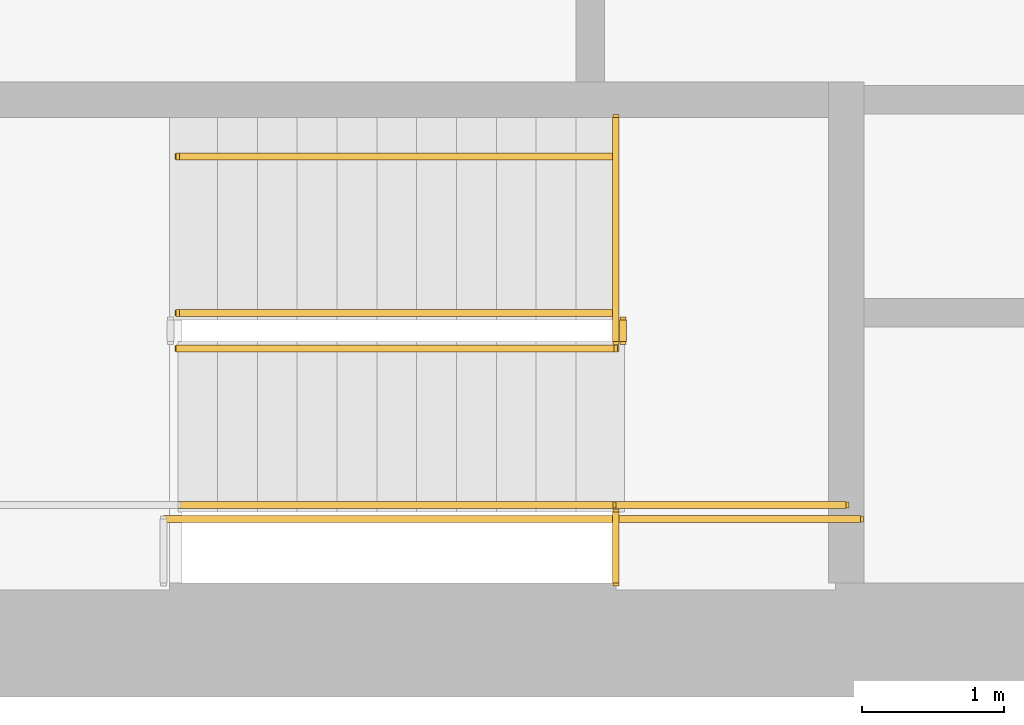
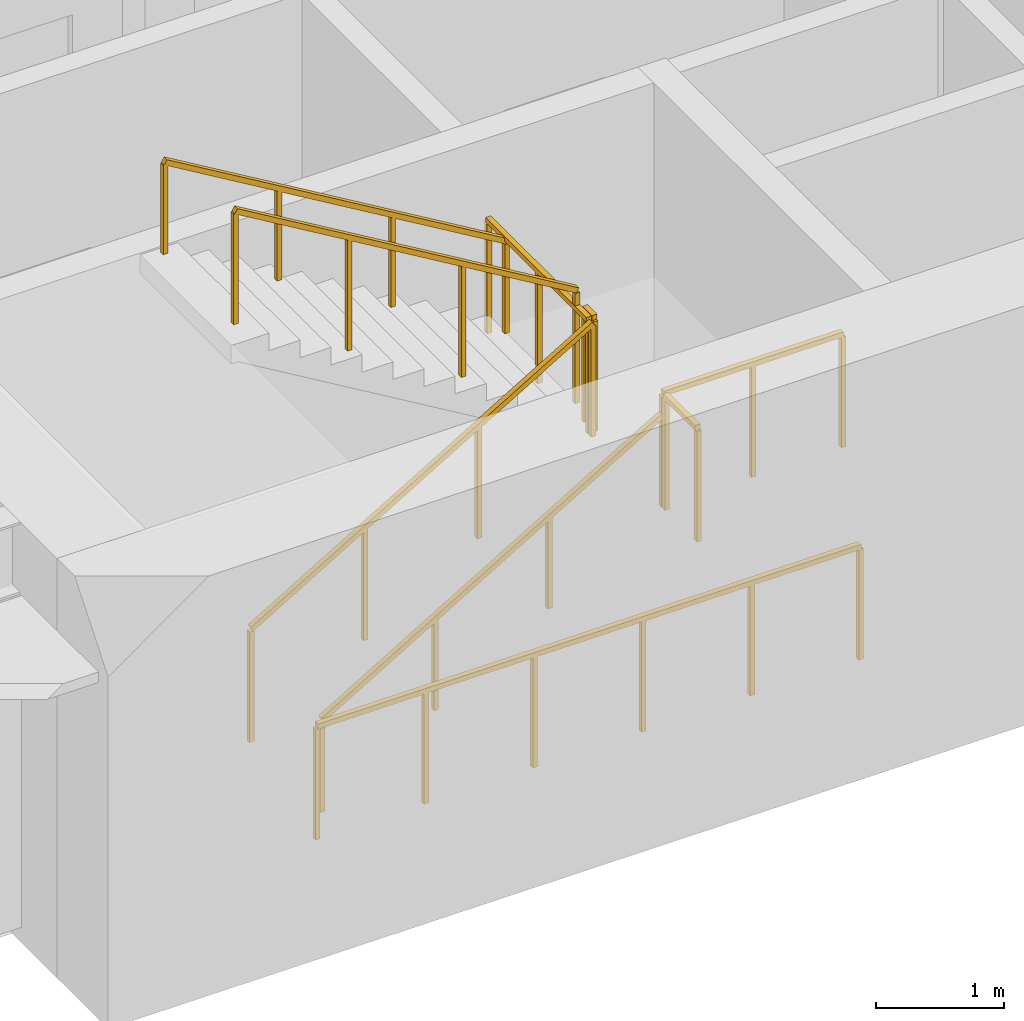
# One storey, part 10 of 12: 9 railings.
"""IFC4 building model written with IfcOpenShell, lengths in metres."""

from ifc_helpers import new_model, si_unit, direction, frame, origin, origin_2d, place, context, subcontext, project, spatial, rectangle, extrude, material, type_object, element, save


model = new_model("IFC4")

# Units and contexts
model_context = context("Model", 3, precision=1e-05, world=origin(), true_north=direction((0.0, 1.0)))
body_context = subcontext(model_context, "Body", "Model", "MODEL_VIEW")
ifc_project = project(units=[si_unit("LENGTHUNIT", "METRE"), si_unit("AREAUNIT", "SQUARE_METRE"), si_unit("VOLUMEUNIT", "CUBIC_METRE"), si_unit("PLANEANGLEUNIT", "RADIAN"), si_unit("MASSUNIT", "GRAM", prefix="KILO")], contexts=[model_context])

# Site, building, storey
site_placement = place(None, origin())
site = spatial("IfcSite", under=ifc_project, at=site_placement, CompositionType="ELEMENT")
building_placement = place(site_placement, origin())
building = spatial("IfcBuilding", under=site, at=building_placement, Name="Sennacour Bend Tower", CompositionType="ELEMENT")
storey_placement = place(building_placement, frame((0.0, 0.0, 249.0)))
storey = spatial("IfcBuildingStorey", under=building, at=storey_placement, Name="L57", CompositionType="ELEMENT", Elevation=249.0)

# Railings
ifc_material = material(Name="Stainless steel", Category="steel")
railing_type_1 = type_object("IfcRailingType", Name="RL-GUARD-1100", PredefinedType="GUARDRAIL", material=ifc_material)
railing_1_placement = place(storey_placement, frame((56.699951171875, 2.449951171875, 0.166748046875)))
element("IfcRailing", 1, at=railing_1_placement, inside=storey, type_object=railing_type_1, Name="L57 SA1 stair guard 1", PredefinedType="GUARDRAIL", context=body_context, shape_type="SweptSolid", body=[
    extrude(rectangle(XDim=0.048095703125, YDim=0.048095703125, at=origin_2d()), frame((0.0, 0.0, 1.076171875), z_axis=(0.859308565015, 0.0, 0.511457515432), x_axis=(0.0, 1.0, 0.0)), (0.0, 0.0, 1.0), 3.58447265625),
    extrude(rectangle(XDim=0.0419921875, YDim=0.0419921875, at=origin_2d()), origin(), (0.0, 0.0, 1.0), 1.052001953125),
    extrude(rectangle(XDim=0.0419921875, YDim=0.0419921875, at=origin_2d()), frame((1.026611328125, 0.0, 0.611083984375)), (0.0, 0.0, 1.0), 1.052001953125),
    extrude(rectangle(XDim=0.0419921875, YDim=0.0419921875, at=origin_2d()), frame((2.053466796875, 0.0, 1.22216796875)), (0.0, 0.0, 1.0), 1.052001953125),
    extrude(rectangle(XDim=0.0419921875, YDim=0.0419921875, at=origin_2d()), frame((3.080078125, 0.0, 1.833251953125)), (0.0, 0.0, 1.0), 1.052001953125),
])
railing_2_placement = place(storey_placement, frame((59.830078125, 2.5, 2.0)))
element("IfcRailing", 2, at=railing_2_placement, inside=storey, type_object=railing_type_1, Name="L57 SA1 stair guard 2", PredefinedType="GUARDRAIL", context=body_context, shape_type="SweptSolid", body=[
    extrude(rectangle(XDim=0.048095703125, YDim=0.048095703125, at=origin_2d()), frame((0.0, 0.0, 1.076171875), z_axis=(0.0, 1.0, 0.0), x_axis=(-1.0, 0.0, 0.0)), (0.0, 0.0, 1.0), 0.14990234375),
    extrude(rectangle(XDim=0.0419921875, YDim=0.0419921875, at=origin_2d()), origin(), (0.0, 0.0, 1.0), 1.052001953125),
    extrude(rectangle(XDim=0.0419921875, YDim=0.0419921875, at=origin_2d()), frame((0.0, 0.14990234375, 0.0)), (0.0, 0.0, 1.0), 1.052001953125),
])
railing_3_placement = place(storey_placement, frame((59.780029296875, 1.35009765625, 2.0)))
element("IfcRailing", 3, at=railing_3_placement, inside=storey, type_object=railing_type_1, Name="L57 SA1 stair guard 3", PredefinedType="GUARDRAIL", context=body_context, shape_type="SweptSolid", body=[
    extrude(rectangle(XDim=0.048095703125, YDim=0.048095703125, at=origin_2d()), frame((0.0, 0.0, 1.076171875), z_axis=(1.0, 0.0, 0.0), x_axis=(0.0, 1.0, 0.0)), (0.0, 0.0, 1.0), 1.619873046875),
    extrude(rectangle(XDim=0.0419921875, YDim=0.0419921875, at=origin_2d()), origin(), (0.0, 0.0, 1.0), 1.052001953125),
    extrude(rectangle(XDim=0.0419921875, YDim=0.0419921875, at=origin_2d()), frame((0.81005859375, 0.0, 0.0)), (0.0, 0.0, 1.0), 1.052001953125),
    extrude(rectangle(XDim=0.0419921875, YDim=0.0419921875, at=origin_2d()), frame((1.619873046875, 0.0, 0.0)), (0.0, 0.0, 1.0), 1.052001953125),
])
railing_4_placement = place(storey_placement, frame((59.780029296875, 2.699951171875, 2.166748046875)))
element("IfcRailing", 4, at=railing_4_placement, inside=storey, type_object=railing_type_1, Name="L57 SA1 stair guard 4", PredefinedType="GUARDRAIL", context=body_context, shape_type="SweptSolid", body=[
    extrude(rectangle(XDim=0.048095703125, YDim=0.048095703125, at=origin_2d()), frame((0.0, 0.0, 1.076171875), z_axis=(-0.859308565015, 0.0, 0.511457515432), x_axis=(0.0, -1.0, 0.0)), (0.0, 0.0, 1.0), 3.58447265625),
    extrude(rectangle(XDim=0.0419921875, YDim=0.0419921875, at=origin_2d()), origin(), (0.0, 0.0, 1.0), 1.052001953125),
    extrude(rectangle(XDim=0.0419921875, YDim=0.0419921875, at=origin_2d()), frame((-1.026611328125, 0.0, 0.611083984375)), (0.0, 0.0, 1.0), 1.052001953125),
    extrude(rectangle(XDim=0.0419921875, YDim=0.0419921875, at=origin_2d()), frame((-2.053466796875, 0.0, 1.22216796875)), (0.0, 0.0, 1.0), 1.052001953125),
    extrude(rectangle(XDim=0.0419921875, YDim=0.0419921875, at=origin_2d()), frame((-3.080078125, 0.0, 1.833251953125)), (0.0, 0.0, 1.0), 1.052001953125),
])
railing_5_placement = place(storey_placement, frame((56.60009765625, 1.25, 0.0)))
element("IfcRailing", 5, at=railing_5_placement, inside=storey, type_object=railing_type_1, Name="L57 SA1 stair guard 8", PredefinedType="GUARDRAIL", context=body_context, shape_type="SweptSolid", body=[
    extrude(rectangle(XDim=0.048095703125, YDim=0.048095703125, at=origin_2d()), frame((0.0, 0.0, 1.076171875), z_axis=(1.0, 0.0, 0.0), x_axis=(0.0, 1.0, 0.0)), (0.0, 0.0, 1.0), 4.89990234375),
    extrude(rectangle(XDim=0.0419921875, YDim=0.0419921875, at=origin_2d()), origin(), (0.0, 0.0, 1.0), 1.052001953125),
    extrude(rectangle(XDim=0.0419921875, YDim=0.0419921875, at=origin_2d()), frame((0.97998046875, 0.0, 0.0)), (0.0, 0.0, 1.0), 1.052001953125),
    extrude(rectangle(XDim=0.0419921875, YDim=0.0419921875, at=origin_2d()), frame((1.9599609375, 0.0, 0.0)), (0.0, 0.0, 1.0), 1.052001953125),
    extrude(rectangle(XDim=0.0419921875, YDim=0.0419921875, at=origin_2d()), frame((2.93994140625, 0.0, 0.0)), (0.0, 0.0, 1.0), 1.052001953125),
    extrude(rectangle(XDim=0.0419921875, YDim=0.0419921875, at=origin_2d()), frame((3.919921875, 0.0, 0.0)), (0.0, 0.0, 1.0), 1.052001953125),
    extrude(rectangle(XDim=0.0419921875, YDim=0.0419921875, at=origin_2d()), frame((4.89990234375, 0.0, 0.0)), (0.0, 0.0, 1.0), 1.052001953125),
])
railing_6_placement = place(storey_placement, frame((59.780029296875, 0.800048828125, 2.0)))
element("IfcRailing", 6, at=railing_6_placement, inside=storey, type_object=railing_type_1, Name="L57 SA1 landing edge guard 84", PredefinedType="GUARDRAIL", context=body_context, shape_type="SweptSolid", body=[
    extrude(rectangle(XDim=0.048095703125, YDim=0.048095703125, at=origin_2d()), frame((0.0, 0.0, 1.076171875), z_axis=(0.0, 1.0, 0.0), x_axis=(-1.0, 0.0, 0.0)), (0.0, 0.0, 1.0), 0.5),
    extrude(rectangle(XDim=0.0419921875, YDim=0.0419921875, at=origin_2d()), origin(), (0.0, 0.0, 1.0), 1.052001953125),
    extrude(rectangle(XDim=0.0419921875, YDim=0.0419921875, at=origin_2d()), frame((0.0, 0.5, 0.0)), (0.0, 0.0, 1.0), 1.052001953125),
])
railing_7_placement = place(storey_placement, frame((59.780029296875, 2.5, 2.0)))
element("IfcRailing", 7, at=railing_7_placement, inside=storey, type_object=railing_type_1, Name="L57 SA1 landing edge guard 85", PredefinedType="GUARDRAIL", context=body_context, shape_type="SweptSolid", body=[
    extrude(rectangle(XDim=0.048095703125, YDim=0.048095703125, at=origin_2d()), frame((0.0, 0.0, 1.076171875), z_axis=(0.0, 1.0, 0.0), x_axis=(-1.0, 0.0, 0.0)), (0.0, 0.0, 1.0), 1.574951171875),
    extrude(rectangle(XDim=0.0419921875, YDim=0.0419921875, at=origin_2d()), origin(), (0.0, 0.0, 1.0), 1.052001953125),
    extrude(rectangle(XDim=0.0419921875, YDim=0.0419921875, at=origin_2d()), frame((0.0, 0.78759765625, 0.0)), (0.0, 0.0, 1.0), 1.052001953125),
    extrude(rectangle(XDim=0.0419921875, YDim=0.0419921875, at=origin_2d()), frame((0.0, 1.574951171875, 0.0)), (0.0, 0.0, 1.0), 1.052001953125),
])
railing_type_2 = type_object("IfcRailingType", Name="RL-HANDRAIL-900", PredefinedType="HANDRAIL", material=ifc_material)
railing_8_placement = place(storey_placement, frame((56.699951171875, 1.35009765625, 0.166748046875)))
element("IfcRailing", 8, at=railing_8_placement, inside=storey, type_object=railing_type_2, Name="L57 SA1 stair handrail 1", PredefinedType="HANDRAIL", context=body_context, shape_type="SweptSolid", body=[
    extrude(rectangle(XDim=0.048095703125, YDim=0.048095703125, at=origin_2d()), frame((0.0, 0.0, 0.8759765625), z_axis=(0.859308565015, 0.0, 0.511457515432), x_axis=(0.0, 1.0, 0.0)), (0.0, 0.0, 1.0), 3.58447265625),
    extrude(rectangle(XDim=0.0419921875, YDim=0.0419921875, at=origin_2d()), origin(), (0.0, 0.0, 1.0), 0.851806640625),
    extrude(rectangle(XDim=0.0419921875, YDim=0.0419921875, at=origin_2d()), frame((1.026611328125, 0.0, 0.611083984375)), (0.0, 0.0, 1.0), 0.851806640625),
    extrude(rectangle(XDim=0.0419921875, YDim=0.0419921875, at=origin_2d()), frame((2.053466796875, 0.0, 1.22216796875)), (0.0, 0.0, 1.0), 0.851806640625),
    extrude(rectangle(XDim=0.0419921875, YDim=0.0419921875, at=origin_2d()), frame((3.080078125, 0.0, 1.833251953125)), (0.0, 0.0, 1.0), 0.851806640625),
])
railing_9_placement = place(storey_placement, frame((59.780029296875, 3.800048828125, 2.166748046875)))
element("IfcRailing", 9, at=railing_9_placement, inside=storey, type_object=railing_type_2, Name="L57 SA1 stair handrail 2", PredefinedType="HANDRAIL", context=body_context, shape_type="SweptSolid", body=[
    extrude(rectangle(XDim=0.048095703125, YDim=0.048095703125, at=origin_2d()), frame((0.0, 0.0, 0.8759765625), z_axis=(-0.859308565015, 0.0, 0.511457515432), x_axis=(0.0, -1.0, 0.0)), (0.0, 0.0, 1.0), 3.58447265625),
    extrude(rectangle(XDim=0.0419921875, YDim=0.0419921875, at=origin_2d()), origin(), (0.0, 0.0, 1.0), 0.851806640625),
    extrude(rectangle(XDim=0.0419921875, YDim=0.0419921875, at=origin_2d()), frame((-1.026611328125, 0.0, 0.611083984375)), (0.0, 0.0, 1.0), 0.851806640625),
    extrude(rectangle(XDim=0.0419921875, YDim=0.0419921875, at=origin_2d()), frame((-2.053466796875, 0.0, 1.22216796875)), (0.0, 0.0, 1.0), 0.851806640625),
    extrude(rectangle(XDim=0.0419921875, YDim=0.0419921875, at=origin_2d()), frame((-3.080078125, 0.0, 1.833251953125)), (0.0, 0.0, 1.0), 0.851806640625),
])

save(model, "model.ifc")
